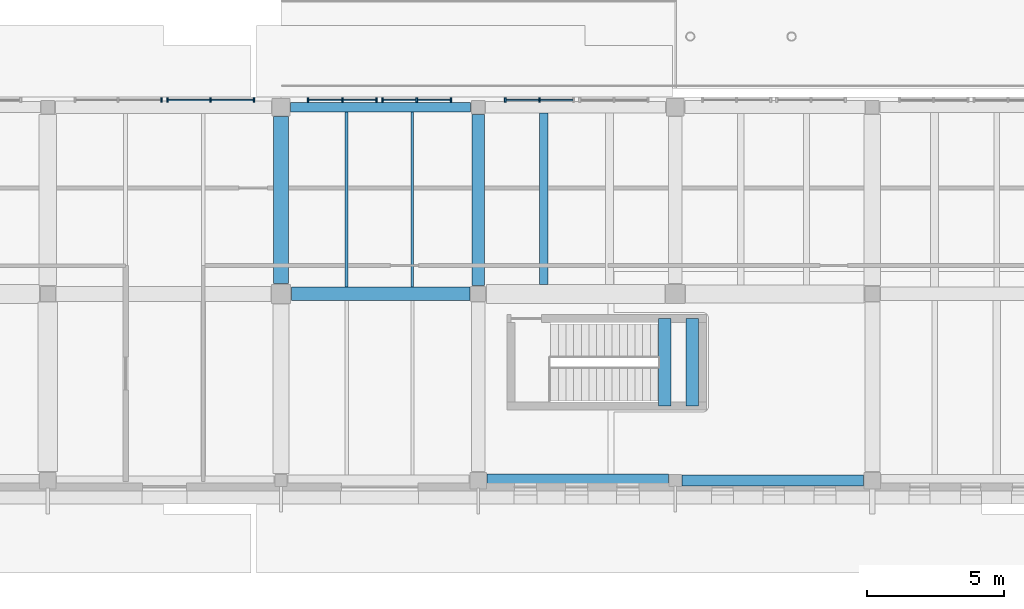
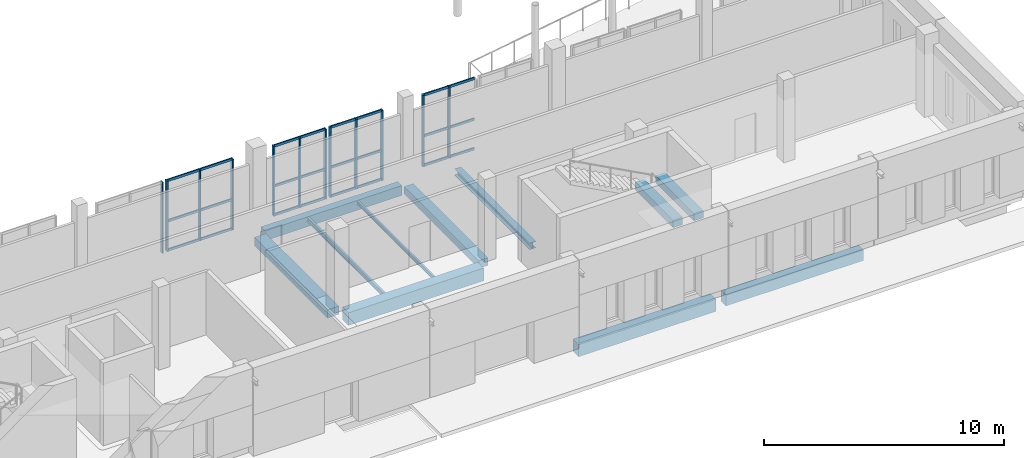
# One storey, part 28 of 77: 36 members, 11 beams, 5 elements without a shape of their own.
"""IFC4 building model written with IfcOpenShell, lengths in metres."""

from ifc_helpers import new_model, si_unit, direction, frame, origin, origin_2d, place, context, subcontext, project, spatial, rectangle, i_section, extrude, material, layer, layer_set, material_profile, profile_set, type_object, element, aggregate, save


model = new_model("IFC4")

# Units and contexts
model_context = context("Model", 3, precision=1e-05, world=origin(), true_north=direction((0.0, 1.0)))
body_context = subcontext(model_context, "Body", "Model", "MODEL_VIEW")
ifc_project = project(units=[si_unit("LENGTHUNIT", "METRE"), si_unit("AREAUNIT", "SQUARE_METRE"), si_unit("VOLUMEUNIT", "CUBIC_METRE"), si_unit("PLANEANGLEUNIT", "RADIAN"), si_unit("MASSUNIT", "GRAM", prefix="KILO")], contexts=[model_context])

# Site, building, storey
site_placement = place(None, origin())
site = spatial("IfcSite", under=ifc_project, at=site_placement, CompositionType="ELEMENT")
building_placement = place(site_placement, origin())
building = spatial("IfcBuilding", under=site, at=building_placement, Name="Vardoun Plaza Health Centre", CompositionType="ELEMENT")
storey_placement = place(building_placement, origin())
storey = spatial("IfcBuildingStorey", under=building, at=storey_placement, Name="L00", CompositionType="ELEMENT", Elevation=0.0)

# Beams
ifc_material_1 = material(Name="Concrete C35/45", Category="concrete")
ifc_material_profile_1 = material_profile(ifc_material_1, rectangle(XDim=0.35009765625, YDim=0.5, at=origin_2d()), Name="RC-BM 350x500")
ifc_profile_set_1 = profile_set([ifc_material_profile_1], Name="Concrete C35/45")
beam_type_1 = type_object("IfcBeamType", Name="B-08", PredefinedType="SPANDREL", material=ifc_profile_set_1)
beam_1_placement = place(storey_placement, frame((136.85009765625, 18.52001953125, -0.544921875), z_axis=(1.0, 0.0, 0.0), x_axis=(0.0, 1.0, 0.0)))
element("IfcBeam", 1, at=beam_1_placement, inside=storey, type_object=beam_type_1, Name="V5 L00 Beam B-V5-L00-X15", PredefinedType="SPANDREL", context=body_context, shape_type="SweptSolid", body=[
    extrude(rectangle(XDim=0.35009765625, YDim=0.5, at=origin_2d()), origin(), (0.0, 0.0, 1.0), 6.574951171875),
])
ifc_material_2 = material(Name="Concrete C35/45", Category="concrete")
ifc_material_profile_2 = material_profile(ifc_material_2, rectangle(XDim=0.39990234375, YDim=0.550048828125, at=origin_2d()), Name="RC-BM 400x550")
ifc_profile_set_2 = profile_set([ifc_material_profile_2], Name="Concrete C35/45")
beam_type_2 = type_object("IfcBeamType", Name="B-09", PredefinedType="SPANDREL", material=ifc_profile_set_2)
beam_2_placement = place(storey_placement, frame((151.14990234375, 4.8798828125, -0.570068359375), z_axis=(1.0, 0.0, 0.0), x_axis=(0.0, 1.0, 0.0)))
element("IfcBeam", 2, at=beam_2_placement, inside=storey, type_object=beam_type_2, Name="V5 L00 Beam B-V5-L00-X19", PredefinedType="SPANDREL", context=body_context, shape_type="SweptSolid", body=[
    extrude(rectangle(XDim=0.39990234375, YDim=0.550048828125, at=origin_2d()), origin(), (0.0, 0.0, 1.0), 6.625),
])
ifc_material_3 = material(Name="Concrete C35/45", Category="concrete")
ifc_material_profile_3 = material_profile(ifc_material_3, rectangle(XDim=0.449951171875, YDim=0.3798828125, at=origin_2d()), Name="RC-BM 450x380")
ifc_profile_set_3 = profile_set([ifc_material_profile_3], Name="Concrete C35/45")
beam_type_3 = type_object("IfcBeamType", Name="B-01", PredefinedType="BEAM", material=ifc_profile_set_3)
beam_3_placement = place(storey_placement, frame((143.699951171875, 12.0, -0.485107421875), z_axis=(0.0, 1.0, 0.0), x_axis=(-1.0, 0.0, 0.0)))
element("IfcBeam", 3, at=beam_3_placement, inside=storey, type_object=beam_type_3, Name="V5 L00 Beam B-V5-L00-Y35", PredefinedType="BEAM", context=body_context, shape_type="SweptSolid", body=[
    extrude(rectangle(XDim=0.449951171875, YDim=0.3798828125, at=origin_2d()), origin(), (0.0, 0.0, 1.0), 6.2451171875),
])
for number, where, z_axis, x_axis, name in (
    (4, (150.52001953125, 7.60009765625, 1.860107421875), (0.0, 1.0, 0.0), (-1.0, 0.0, 0.0), "Stair ST-C9-L00 Landing Beam 1"),
    (5, (151.52001953125, 7.60009765625, 1.860107421875), (0.0, 1.0, 0.0), (-1.0, 0.0, 0.0), "Stair ST-C9-L00 Landing Beam 2"),
):
    element("IfcBeam", number, at=place(storey_placement, frame(where, z_axis=z_axis, x_axis=x_axis)), inside=storey, type_object=beam_type_3, Name=name, PredefinedType="BEAM", context=body_context, shape_type="SweptSolid", body=[
        extrude(rectangle(XDim=0.449951171875, YDim=0.3798828125, at=origin_2d()), origin(), (0.0, 0.0, 1.0), 3.199951171875),
    ])
ifc_material_4 = material(Name="Concrete C35/45", Category="concrete")
ifc_material_profile_4 = material_profile(ifc_material_4, rectangle(XDim=0.47998046875, YDim=0.6201171875, at=origin_2d()), Name="RC-BM 480x620")
ifc_profile_set_4 = profile_set([ifc_material_profile_4], Name="Concrete C35/45")
beam_type_4 = type_object("IfcBeamType", Name="B-12", PredefinedType="SPANDREL", material=ifc_profile_set_4)
beam_4_placement = place(storey_placement, frame((144.02490234375, 4.8798828125, -0.60498046875), z_axis=(1.0, 0.0, 0.0), x_axis=(0.0, 1.0, 0.0)))
element("IfcBeam", 6, at=beam_4_placement, inside=storey, type_object=beam_type_4, Name="V5 L00 Beam B-V5-L00-X16", PredefinedType="SPANDREL", context=body_context, shape_type="SweptSolid", body=[
    extrude(rectangle(XDim=0.47998046875, YDim=0.6201171875, at=origin_2d()), origin(), (0.0, 0.0, 1.0), 6.625),
])
ifc_material_5 = material(Name="Concrete C40/50", Category="concrete")
ifc_material_profile_5 = material_profile(ifc_material_5, rectangle(XDim=0.5, YDim=0.64990234375, at=origin_2d()), Name="RC-BM 500x650")
ifc_profile_set_5 = profile_set([ifc_material_profile_5], Name="Concrete C40/50")
beam_type_5 = type_object("IfcBeamType", Name="B-13", PredefinedType="BEAM", material=ifc_profile_set_5)
beam_5_placement = place(storey_placement, frame((136.875, 11.699951171875, -0.6201171875), z_axis=(1.0, 0.0, 0.0), x_axis=(0.0, 1.0, 0.0)))
element("IfcBeam", 7, at=beam_5_placement, inside=storey, type_object=beam_type_5, Name="V5 L00 Beam B-V5-L00-X14", PredefinedType="BEAM", context=body_context, shape_type="SweptSolid", body=[
    extrude(rectangle(XDim=0.5, YDim=0.64990234375, at=origin_2d()), origin(), (0.0, 0.0, 1.0), 6.52490234375),
])
ifc_material_6 = material(Name="Concrete C35/45", Category="concrete")
ifc_material_profile_6 = material_profile(ifc_material_6, rectangle(XDim=0.550048828125, YDim=0.419921875, at=origin_2d()), Name="RC-BM 550x420")
ifc_profile_set_6 = profile_set([ifc_material_profile_6], Name="Concrete C35/45")
beam_type_6 = type_object("IfcBeamType", Name="B-03", PredefinedType="BEAM", material=ifc_profile_set_6)
beam_6_placement = place(storey_placement, frame((136.5, 12.074951171875, -0.5048828125), z_axis=(0.0, 1.0, 0.0), x_axis=(-1.0, 0.0, 0.0)))
element("IfcBeam", 8, at=beam_6_placement, inside=storey, type_object=beam_type_6, Name="V5 L00 Beam B-V5-L00-Y33", PredefinedType="BEAM", context=body_context, shape_type="SweptSolid", body=[
    extrude(rectangle(XDim=0.550048828125, YDim=0.419921875, at=origin_2d()), origin(), (0.0, 0.0, 1.0), 6.094970703125),
])
ifc_material_7 = material(Name="Steel S355J2", Category="steel")
ifc_material_profile_7 = material_profile(ifc_material_7, i_section(OverallWidth=0.300048828125, OverallDepth=0.330078125, WebThickness=0.009521484375, FlangeThickness=0.0166015625, FilletRadius=0.027099609375, at=origin_2d()), Name="HEA 340")
ifc_profile_set_7 = profile_set([ifc_material_profile_7], Name="Steel S355J2")
beam_type_7 = type_object("IfcBeamType", Name="SB-04", PredefinedType="BEAM", material=ifc_profile_set_7)
beam_7_placement = place(storey_placement, frame((146.099853515625, 12.050048828125, -0.4599609375), z_axis=(0.0, 1.0, 0.0), x_axis=(-1.0, 0.0, 0.0)))
element("IfcBeam", 9, at=beam_7_placement, inside=storey, type_object=beam_type_7, Name="V5 L00 Secondary Floor Beam SJ-V5-L00-17", PredefinedType="BEAM", context=body_context, shape_type="SweptSolid", body=[
    extrude(i_section(OverallWidth=0.300048828125, OverallDepth=0.330078125, WebThickness=0.009521484375, FlangeThickness=0.0166015625, FilletRadius=0.027099609375, at=origin_2d()), origin(), (0.0, 0.0, 1.0), 6.260009765625),
])
ifc_material_8 = material(Name="Steel S355J2", Category="steel")
ifc_material_profile_8 = material_profile(ifc_material_8, i_section(OverallWidth=0.091064453125, OverallDepth=0.179931640625, WebThickness=0.00537109375, FlangeThickness=0.008056640625, FilletRadius=0.009033203125, at=origin_2d()), Name="IPE 180")
ifc_profile_set_8 = profile_set([ifc_material_profile_8], Name="Steel S355J2")
beam_type_8 = type_object("IfcBeamType", Name="SB-20", PredefinedType="SPANDREL", material=ifc_profile_set_8)
beam_8_placement = place(storey_placement, frame((141.30029296875, 11.949951171875, -0.385009765625), z_axis=(0.0, 1.0, 0.0), x_axis=(-1.0, 0.0, 0.0)))
element("IfcBeam", 10, at=beam_8_placement, inside=storey, type_object=beam_type_8, Name="V5 L00 Secondary Floor Beam SJ-V5-L00-16", PredefinedType="SPANDREL", context=body_context, shape_type="SweptSolid", body=[
    extrude(i_section(OverallWidth=0.091064453125, OverallDepth=0.179931640625, WebThickness=0.00537109375, FlangeThickness=0.008056640625, FilletRadius=0.009033203125, at=origin_2d()), origin(), (0.0, 0.0, 1.0), 6.39501953125),
])
ifc_material_9 = material(Name="Steel S355J2", Category="steel")
ifc_material_profile_9 = material_profile(ifc_material_9, i_section(OverallWidth=0.110107421875, OverallDepth=0.219970703125, WebThickness=0.005859375, FlangeThickness=0.00927734375, FilletRadius=0.011962890625, at=origin_2d()), Name="IPE 220")
ifc_profile_set_9 = profile_set([ifc_material_profile_9], Name="Steel S355J2")
beam_type_9 = type_object("IfcBeamType", Name="SB-18", PredefinedType="JOIST", material=ifc_profile_set_9)
beam_9_placement = place(storey_placement, frame((138.89990234375, 11.949951171875, -0.405029296875), z_axis=(0.0, 1.0, 0.0), x_axis=(-1.0, 0.0, 0.0)))
element("IfcBeam", 11, at=beam_9_placement, inside=storey, type_object=beam_type_9, Name="V5 L00 Secondary Floor Beam SJ-V5-L00-14", PredefinedType="JOIST", context=body_context, shape_type="SweptSolid", body=[
    extrude(i_section(OverallWidth=0.110107421875, OverallDepth=0.219970703125, WebThickness=0.005859375, FlangeThickness=0.00927734375, FilletRadius=0.011962890625, at=origin_2d()), origin(), (0.0, 0.0, 1.0), 6.39501953125),
])

# Curtain wall, member
ifc_material_10 = material(Name="Aluminium Alloy EN AW-6063-T6 and Low-E Glass", Category="aluminium")
ifc_layer = layer(ifc_material_10, 0.14990234375)
ifc_layer_set = layer_set([ifc_layer], Name="Aluminium Alloy EN AW-6063-T6 and Low-E Glass")
curtain_wall_type = type_object("IfcCurtainWallType", Name="CW-03", PredefinedType="NOTDEFINED", material=ifc_layer_set)
curtain_wall_1_placement = place(storey_placement, origin())
curtain_wall_1 = element("IfcCurtainWall", 12, at=curtain_wall_1_placement, inside=storey, type_object=curtain_wall_type, Name="Curtain Wall CW-V5-139", PredefinedType="NOTDEFINED")
ifc_material_11 = material(Name="Aluminium Alloy EN AW-6063-T6", Category="aluminium")
ifc_material_profile_10 = material_profile(ifc_material_11, rectangle(XDim=0.159912109375, YDim=0.06005859375, at=origin_2d()), Name="CWM 60x160")
ifc_profile_set_10 = profile_set([ifc_material_profile_10], Name="Aluminium Alloy EN AW-6063-T6")
member_type_1 = type_object("IfcMemberType", Name="CW-M1", PredefinedType="MULLION", material=ifc_profile_set_10)
member_1_placement = place(storey_placement, frame((132.1298828125, 18.780029296875, 0.0), z_axis=(0.0, 0.0, 1.0), x_axis=(0.0, 1.0, 0.0)))
member_1 = element("IfcMember", 13, at=member_1_placement, type_object=member_type_1, Name="CW-V5-139 mullion 3", PredefinedType="MULLION", context=body_context, shape_type="SweptSolid", body=[
    extrude(rectangle(XDim=0.159912109375, YDim=0.06005859375, at=origin_2d()), origin(), (0.0, 0.0, 1.0), 3.610107421875),
])
aggregate(curtain_wall_1, [member_1])

# Curtain wall, members
curtain_wall_2_placement = place(storey_placement, origin())
curtain_wall_2 = element("IfcCurtainWall", 14, at=curtain_wall_2_placement, inside=storey, type_object=curtain_wall_type, Name="Curtain Wall CW-V5-140", PredefinedType="NOTDEFINED")
member_2_placement = place(storey_placement, frame((132.35009765625, 18.780029296875, 0.0), z_axis=(0.0, 0.0, 1.0), x_axis=(0.0, 1.0, 0.0)))
member_2 = element("IfcMember", 15, at=member_2_placement, type_object=member_type_1, Name="CW-V5-140 mullion 1", PredefinedType="MULLION", context=body_context, shape_type="SweptSolid", body=[
    extrude(rectangle(XDim=0.159912109375, YDim=0.06005859375, at=origin_2d()), origin(), (0.0, 0.0, 1.0), 3.610107421875),
])
member_3_placement = place(storey_placement, frame((133.929931640625, 18.780029296875, 0.0), z_axis=(0.0, 0.0, 1.0), x_axis=(0.0, 1.0, 0.0)))
member_3 = element("IfcMember", 16, at=member_3_placement, type_object=member_type_1, Name="CW-V5-140 mullion 2", PredefinedType="MULLION", context=body_context, shape_type="SweptSolid", body=[
    extrude(rectangle(XDim=0.159912109375, YDim=0.06005859375, at=origin_2d()), origin(), (0.0, 0.0, 1.0), 3.610107421875),
])
member_4_placement = place(storey_placement, frame((135.510009765625, 18.780029296875, 0.0), z_axis=(0.0, 0.0, 1.0), x_axis=(0.0, 1.0, 0.0)))
member_4 = element("IfcMember", 17, at=member_4_placement, type_object=member_type_1, Name="CW-V5-140 mullion 3", PredefinedType="MULLION", context=body_context, shape_type="SweptSolid", body=[
    extrude(rectangle(XDim=0.159912109375, YDim=0.06005859375, at=origin_2d()), origin(), (0.0, 0.0, 1.0), 3.610107421875),
])

curtain_wall_3_placement = place(storey_placement, origin())
curtain_wall_3 = element("IfcCurtainWall", 18, at=curtain_wall_3_placement, inside=storey, type_object=curtain_wall_type, Name="Curtain Wall CW-V5-141", PredefinedType="NOTDEFINED")
member_5_placement = place(storey_placement, frame((137.489990234375, 18.780029296875, 0.0), z_axis=(0.0, 0.0, 1.0), x_axis=(0.0, 1.0, 0.0)))
member_5 = element("IfcMember", 19, at=member_5_placement, type_object=member_type_1, Name="CW-V5-141 mullion 1", PredefinedType="MULLION", context=body_context, shape_type="SweptSolid", body=[
    extrude(rectangle(XDim=0.159912109375, YDim=0.06005859375, at=origin_2d()), origin(), (0.0, 0.0, 1.0), 3.570068359375),
])
member_6_placement = place(storey_placement, frame((138.739990234375, 18.780029296875, 0.0), z_axis=(0.0, 0.0, 1.0), x_axis=(0.0, 1.0, 0.0)))
member_6 = element("IfcMember", 20, at=member_6_placement, type_object=member_type_1, Name="CW-V5-141 mullion 2", PredefinedType="MULLION", context=body_context, shape_type="SweptSolid", body=[
    extrude(rectangle(XDim=0.159912109375, YDim=0.06005859375, at=origin_2d()), origin(), (0.0, 0.0, 1.0), 3.570068359375),
])
member_7_placement = place(storey_placement, frame((139.989990234375, 18.780029296875, 0.0), z_axis=(0.0, 0.0, 1.0), x_axis=(0.0, 1.0, 0.0)))
member_7 = element("IfcMember", 21, at=member_7_placement, type_object=member_type_1, Name="CW-V5-141 mullion 3", PredefinedType="MULLION", context=body_context, shape_type="SweptSolid", body=[
    extrude(rectangle(XDim=0.159912109375, YDim=0.06005859375, at=origin_2d()), origin(), (0.0, 0.0, 1.0), 3.570068359375),
])

curtain_wall_4_placement = place(storey_placement, origin())
curtain_wall_4 = element("IfcCurtainWall", 22, at=curtain_wall_4_placement, inside=storey, type_object=curtain_wall_type, Name="Curtain Wall CW-V5-142", PredefinedType="NOTDEFINED")
member_8_placement = place(storey_placement, frame((140.2099609375, 18.780029296875, 0.0), z_axis=(0.0, 0.0, 1.0), x_axis=(0.0, 1.0, 0.0)))
member_8 = element("IfcMember", 23, at=member_8_placement, type_object=member_type_1, Name="CW-V5-142 mullion 1", PredefinedType="MULLION", context=body_context, shape_type="SweptSolid", body=[
    extrude(rectangle(XDim=0.159912109375, YDim=0.06005859375, at=origin_2d()), origin(), (0.0, 0.0, 1.0), 3.570068359375),
])
member_9_placement = place(storey_placement, frame((141.4599609375, 18.780029296875, 0.0), z_axis=(0.0, 0.0, 1.0), x_axis=(0.0, 1.0, 0.0)))
member_9 = element("IfcMember", 24, at=member_9_placement, type_object=member_type_1, Name="CW-V5-142 mullion 2", PredefinedType="MULLION", context=body_context, shape_type="SweptSolid", body=[
    extrude(rectangle(XDim=0.159912109375, YDim=0.06005859375, at=origin_2d()), origin(), (0.0, 0.0, 1.0), 3.570068359375),
])
member_10_placement = place(storey_placement, frame((142.7099609375, 18.780029296875, 0.0), z_axis=(0.0, 0.0, 1.0), x_axis=(0.0, 1.0, 0.0)))
member_10 = element("IfcMember", 25, at=member_10_placement, type_object=member_type_1, Name="CW-V5-142 mullion 3", PredefinedType="MULLION", context=body_context, shape_type="SweptSolid", body=[
    extrude(rectangle(XDim=0.159912109375, YDim=0.06005859375, at=origin_2d()), origin(), (0.0, 0.0, 1.0), 3.570068359375),
])

curtain_wall_5_placement = place(storey_placement, origin())
curtain_wall_5 = element("IfcCurtainWall", 26, at=curtain_wall_5_placement, inside=storey, type_object=curtain_wall_type, Name="Curtain Wall CW-V5-143", PredefinedType="NOTDEFINED")
member_11_placement = place(storey_placement, frame((144.690185546875, 18.780029296875, 0.0), z_axis=(0.0, 0.0, 1.0), x_axis=(0.0, 1.0, 0.0)))
member_11 = element("IfcMember", 27, at=member_11_placement, type_object=member_type_1, Name="CW-V5-143 mullion 1", PredefinedType="MULLION", context=body_context, shape_type="SweptSolid", body=[
    extrude(rectangle(XDim=0.159912109375, YDim=0.06005859375, at=origin_2d()), origin(), (0.0, 0.0, 1.0), 3.639892578125),
])
member_12_placement = place(storey_placement, frame((145.940185546875, 18.780029296875, 0.0), z_axis=(0.0, 0.0, 1.0), x_axis=(0.0, 1.0, 0.0)))
member_12 = element("IfcMember", 28, at=member_12_placement, type_object=member_type_1, Name="CW-V5-143 mullion 2", PredefinedType="MULLION", context=body_context, shape_type="SweptSolid", body=[
    extrude(rectangle(XDim=0.159912109375, YDim=0.06005859375, at=origin_2d()), origin(), (0.0, 0.0, 1.0), 3.639892578125),
])

# Member
ifc_material_12 = material(Name="Aluminium Alloy EN AW-6063-T6", Category="aluminium")
ifc_material_profile_11 = material_profile(ifc_material_12, rectangle(XDim=0.06005859375, YDim=0.1201171875, at=origin_2d()), Name="CWT 60x120")
ifc_profile_set_11 = profile_set([ifc_material_profile_11], Name="Aluminium Alloy EN AW-6063-T6")
member_type_2 = type_object("IfcMemberType", Name="CW-T1", PredefinedType="USERDEFINED", material=ifc_profile_set_11)
member_13_placement = place(storey_placement, frame((132.3798828125, 18.780029296875, 0.030029296875), z_axis=(1.0, 0.0, 0.0), x_axis=(0.0, 1.0, 0.0)))
member_13 = element("IfcMember", 29, at=member_13_placement, type_object=member_type_2, Name="CW-V5-140 transom 1.1", ObjectType="TRANSOM", PredefinedType="USERDEFINED", context=body_context, shape_type="SweptSolid", body=[
    extrude(rectangle(XDim=0.06005859375, YDim=0.1201171875, at=origin_2d()), origin(), (0.0, 0.0, 1.0), 1.52001953125),
])

member_14_placement = place(storey_placement, frame((132.3798828125, 18.780029296875, 1.51611328125), z_axis=(1.0, 0.0, 0.0), x_axis=(0.0, 1.0, 0.0)))
member_14 = element("IfcMember", 30, at=member_14_placement, type_object=member_type_2, Name="CW-V5-140 transom 1.2", ObjectType="TRANSOM", PredefinedType="USERDEFINED", context=body_context, shape_type="SweptSolid", body=[
    extrude(rectangle(XDim=0.06005859375, YDim=0.1201171875, at=origin_2d()), origin(), (0.0, 0.0, 1.0), 1.52001953125),
])

member_15_placement = place(storey_placement, frame((132.3798828125, 18.780029296875, 3.580078125), z_axis=(1.0, 0.0, 0.0), x_axis=(0.0, 1.0, 0.0)))
member_15 = element("IfcMember", 31, at=member_15_placement, type_object=member_type_2, Name="CW-V5-140 transom 1.3", ObjectType="TRANSOM", PredefinedType="USERDEFINED", context=body_context, shape_type="SweptSolid", body=[
    extrude(rectangle(XDim=0.06005859375, YDim=0.1201171875, at=origin_2d()), origin(), (0.0, 0.0, 1.0), 1.52001953125),
])

member_16_placement = place(storey_placement, frame((133.9599609375, 18.780029296875, 0.030029296875), z_axis=(1.0, 0.0, 0.0), x_axis=(0.0, 1.0, 0.0)))
member_16 = element("IfcMember", 32, at=member_16_placement, type_object=member_type_2, Name="CW-V5-140 transom 2.1", ObjectType="TRANSOM", PredefinedType="USERDEFINED", context=body_context, shape_type="SweptSolid", body=[
    extrude(rectangle(XDim=0.06005859375, YDim=0.1201171875, at=origin_2d()), origin(), (0.0, 0.0, 1.0), 1.52001953125),
])

member_17_placement = place(storey_placement, frame((133.9599609375, 18.780029296875, 1.51611328125), z_axis=(1.0, 0.0, 0.0), x_axis=(0.0, 1.0, 0.0)))
member_17 = element("IfcMember", 33, at=member_17_placement, type_object=member_type_2, Name="CW-V5-140 transom 2.2", ObjectType="TRANSOM", PredefinedType="USERDEFINED", context=body_context, shape_type="SweptSolid", body=[
    extrude(rectangle(XDim=0.06005859375, YDim=0.1201171875, at=origin_2d()), origin(), (0.0, 0.0, 1.0), 1.52001953125),
])

member_18_placement = place(storey_placement, frame((133.9599609375, 18.780029296875, 3.580078125), z_axis=(1.0, 0.0, 0.0), x_axis=(0.0, 1.0, 0.0)))
member_18 = element("IfcMember", 34, at=member_18_placement, type_object=member_type_2, Name="CW-V5-140 transom 2.3", ObjectType="TRANSOM", PredefinedType="USERDEFINED", context=body_context, shape_type="SweptSolid", body=[
    extrude(rectangle(XDim=0.06005859375, YDim=0.1201171875, at=origin_2d()), origin(), (0.0, 0.0, 1.0), 1.52001953125),
])

aggregate(curtain_wall_2, [member_2, member_3, member_4, member_13, member_14, member_15, member_16, member_17, member_18])

member_19_placement = place(storey_placement, frame((137.52001953125, 18.780029296875, 0.030029296875), z_axis=(1.0, 0.0, 0.0), x_axis=(0.0, 1.0, 0.0)))
member_19 = element("IfcMember", 35, at=member_19_placement, type_object=member_type_2, Name="CW-V5-141 transom 1.1", ObjectType="TRANSOM", PredefinedType="USERDEFINED", context=body_context, shape_type="SweptSolid", body=[
    extrude(rectangle(XDim=0.06005859375, YDim=0.1201171875, at=origin_2d()), origin(), (0.0, 0.0, 1.0), 1.18994140625),
])

member_20_placement = place(storey_placement, frame((137.52001953125, 18.780029296875, 1.49951171875), z_axis=(1.0, 0.0, 0.0), x_axis=(0.0, 1.0, 0.0)))
member_20 = element("IfcMember", 36, at=member_20_placement, type_object=member_type_2, Name="CW-V5-141 transom 1.2", ObjectType="TRANSOM", PredefinedType="USERDEFINED", context=body_context, shape_type="SweptSolid", body=[
    extrude(rectangle(XDim=0.06005859375, YDim=0.1201171875, at=origin_2d()), origin(), (0.0, 0.0, 1.0), 1.18994140625),
])

member_21_placement = place(storey_placement, frame((137.52001953125, 18.780029296875, 3.5400390625), z_axis=(1.0, 0.0, 0.0), x_axis=(0.0, 1.0, 0.0)))
member_21 = element("IfcMember", 37, at=member_21_placement, type_object=member_type_2, Name="CW-V5-141 transom 1.3", ObjectType="TRANSOM", PredefinedType="USERDEFINED", context=body_context, shape_type="SweptSolid", body=[
    extrude(rectangle(XDim=0.06005859375, YDim=0.1201171875, at=origin_2d()), origin(), (0.0, 0.0, 1.0), 1.18994140625),
])

member_22_placement = place(storey_placement, frame((138.77001953125, 18.780029296875, 0.030029296875), z_axis=(1.0, 0.0, 0.0), x_axis=(0.0, 1.0, 0.0)))
member_22 = element("IfcMember", 38, at=member_22_placement, type_object=member_type_2, Name="CW-V5-141 transom 2.1", ObjectType="TRANSOM", PredefinedType="USERDEFINED", context=body_context, shape_type="SweptSolid", body=[
    extrude(rectangle(XDim=0.06005859375, YDim=0.1201171875, at=origin_2d()), origin(), (0.0, 0.0, 1.0), 1.18994140625),
])

member_23_placement = place(storey_placement, frame((138.77001953125, 18.780029296875, 1.49951171875), z_axis=(1.0, 0.0, 0.0), x_axis=(0.0, 1.0, 0.0)))
member_23 = element("IfcMember", 39, at=member_23_placement, type_object=member_type_2, Name="CW-V5-141 transom 2.2", ObjectType="TRANSOM", PredefinedType="USERDEFINED", context=body_context, shape_type="SweptSolid", body=[
    extrude(rectangle(XDim=0.06005859375, YDim=0.1201171875, at=origin_2d()), origin(), (0.0, 0.0, 1.0), 1.18994140625),
])

member_24_placement = place(storey_placement, frame((138.77001953125, 18.780029296875, 3.5400390625), z_axis=(1.0, 0.0, 0.0), x_axis=(0.0, 1.0, 0.0)))
member_24 = element("IfcMember", 40, at=member_24_placement, type_object=member_type_2, Name="CW-V5-141 transom 2.3", ObjectType="TRANSOM", PredefinedType="USERDEFINED", context=body_context, shape_type="SweptSolid", body=[
    extrude(rectangle(XDim=0.06005859375, YDim=0.1201171875, at=origin_2d()), origin(), (0.0, 0.0, 1.0), 1.18994140625),
])

aggregate(curtain_wall_3, [member_5, member_6, member_7, member_19, member_20, member_21, member_22, member_23, member_24])

member_25_placement = place(storey_placement, frame((140.239990234375, 18.780029296875, 0.030029296875), z_axis=(1.0, 0.0, 0.0), x_axis=(0.0, 1.0, 0.0)))
member_25 = element("IfcMember", 41, at=member_25_placement, type_object=member_type_2, Name="CW-V5-142 transom 1.1", ObjectType="TRANSOM", PredefinedType="USERDEFINED", context=body_context, shape_type="SweptSolid", body=[
    extrude(rectangle(XDim=0.06005859375, YDim=0.1201171875, at=origin_2d()), origin(), (0.0, 0.0, 1.0), 1.18994140625),
])

member_26_placement = place(storey_placement, frame((140.239990234375, 18.780029296875, 1.49951171875), z_axis=(1.0, 0.0, 0.0), x_axis=(0.0, 1.0, 0.0)))
member_26 = element("IfcMember", 42, at=member_26_placement, type_object=member_type_2, Name="CW-V5-142 transom 1.2", ObjectType="TRANSOM", PredefinedType="USERDEFINED", context=body_context, shape_type="SweptSolid", body=[
    extrude(rectangle(XDim=0.06005859375, YDim=0.1201171875, at=origin_2d()), origin(), (0.0, 0.0, 1.0), 1.18994140625),
])

member_27_placement = place(storey_placement, frame((140.239990234375, 18.780029296875, 3.5400390625), z_axis=(1.0, 0.0, 0.0), x_axis=(0.0, 1.0, 0.0)))
member_27 = element("IfcMember", 43, at=member_27_placement, type_object=member_type_2, Name="CW-V5-142 transom 1.3", ObjectType="TRANSOM", PredefinedType="USERDEFINED", context=body_context, shape_type="SweptSolid", body=[
    extrude(rectangle(XDim=0.06005859375, YDim=0.1201171875, at=origin_2d()), origin(), (0.0, 0.0, 1.0), 1.18994140625),
])

member_28_placement = place(storey_placement, frame((141.489990234375, 18.780029296875, 0.030029296875), z_axis=(1.0, 0.0, 0.0), x_axis=(0.0, 1.0, 0.0)))
member_28 = element("IfcMember", 44, at=member_28_placement, type_object=member_type_2, Name="CW-V5-142 transom 2.1", ObjectType="TRANSOM", PredefinedType="USERDEFINED", context=body_context, shape_type="SweptSolid", body=[
    extrude(rectangle(XDim=0.06005859375, YDim=0.1201171875, at=origin_2d()), origin(), (0.0, 0.0, 1.0), 1.18994140625),
])

member_29_placement = place(storey_placement, frame((141.489990234375, 18.780029296875, 1.49951171875), z_axis=(1.0, 0.0, 0.0), x_axis=(0.0, 1.0, 0.0)))
member_29 = element("IfcMember", 45, at=member_29_placement, type_object=member_type_2, Name="CW-V5-142 transom 2.2", ObjectType="TRANSOM", PredefinedType="USERDEFINED", context=body_context, shape_type="SweptSolid", body=[
    extrude(rectangle(XDim=0.06005859375, YDim=0.1201171875, at=origin_2d()), origin(), (0.0, 0.0, 1.0), 1.18994140625),
])

member_30_placement = place(storey_placement, frame((141.489990234375, 18.780029296875, 3.5400390625), z_axis=(1.0, 0.0, 0.0), x_axis=(0.0, 1.0, 0.0)))
member_30 = element("IfcMember", 46, at=member_30_placement, type_object=member_type_2, Name="CW-V5-142 transom 2.3", ObjectType="TRANSOM", PredefinedType="USERDEFINED", context=body_context, shape_type="SweptSolid", body=[
    extrude(rectangle(XDim=0.06005859375, YDim=0.1201171875, at=origin_2d()), origin(), (0.0, 0.0, 1.0), 1.18994140625),
])

aggregate(curtain_wall_4, [member_8, member_9, member_10, member_25, member_26, member_27, member_28, member_29, member_30])

member_31_placement = place(storey_placement, frame((144.719970703125, 18.780029296875, 0.030029296875), z_axis=(1.0, 0.0, 0.0), x_axis=(0.0, 1.0, 0.0)))
member_31 = element("IfcMember", 47, at=member_31_placement, type_object=member_type_2, Name="CW-V5-143 transom 1.1", ObjectType="TRANSOM", PredefinedType="USERDEFINED", context=body_context, shape_type="SweptSolid", body=[
    extrude(rectangle(XDim=0.06005859375, YDim=0.1201171875, at=origin_2d()), origin(), (0.0, 0.0, 1.0), 1.18994140625),
])

member_32_placement = place(storey_placement, frame((144.719970703125, 18.780029296875, 1.52880859375), z_axis=(1.0, 0.0, 0.0), x_axis=(0.0, 1.0, 0.0)))
member_32 = element("IfcMember", 48, at=member_32_placement, type_object=member_type_2, Name="CW-V5-143 transom 1.2", ObjectType="TRANSOM", PredefinedType="USERDEFINED", context=body_context, shape_type="SweptSolid", body=[
    extrude(rectangle(XDim=0.06005859375, YDim=0.1201171875, at=origin_2d()), origin(), (0.0, 0.0, 1.0), 1.18994140625),
])

member_33_placement = place(storey_placement, frame((144.719970703125, 18.780029296875, 3.610107421875), z_axis=(1.0, 0.0, 0.0), x_axis=(0.0, 1.0, 0.0)))
member_33 = element("IfcMember", 49, at=member_33_placement, type_object=member_type_2, Name="CW-V5-143 transom 1.3", ObjectType="TRANSOM", PredefinedType="USERDEFINED", context=body_context, shape_type="SweptSolid", body=[
    extrude(rectangle(XDim=0.06005859375, YDim=0.1201171875, at=origin_2d()), origin(), (0.0, 0.0, 1.0), 1.18994140625),
])

member_34_placement = place(storey_placement, frame((145.969970703125, 18.780029296875, 0.030029296875), z_axis=(1.0, 0.0, 0.0), x_axis=(0.0, 1.0, 0.0)))
member_34 = element("IfcMember", 50, at=member_34_placement, type_object=member_type_2, Name="CW-V5-143 transom 2.1", ObjectType="TRANSOM", PredefinedType="USERDEFINED", context=body_context, shape_type="SweptSolid", body=[
    extrude(rectangle(XDim=0.06005859375, YDim=0.1201171875, at=origin_2d()), origin(), (0.0, 0.0, 1.0), 1.18994140625),
])

member_35_placement = place(storey_placement, frame((145.969970703125, 18.780029296875, 1.52880859375), z_axis=(1.0, 0.0, 0.0), x_axis=(0.0, 1.0, 0.0)))
member_35 = element("IfcMember", 51, at=member_35_placement, type_object=member_type_2, Name="CW-V5-143 transom 2.2", ObjectType="TRANSOM", PredefinedType="USERDEFINED", context=body_context, shape_type="SweptSolid", body=[
    extrude(rectangle(XDim=0.06005859375, YDim=0.1201171875, at=origin_2d()), origin(), (0.0, 0.0, 1.0), 1.18994140625),
])

member_36_placement = place(storey_placement, frame((145.969970703125, 18.780029296875, 3.610107421875), z_axis=(1.0, 0.0, 0.0), x_axis=(0.0, 1.0, 0.0)))
member_36 = element("IfcMember", 52, at=member_36_placement, type_object=member_type_2, Name="CW-V5-143 transom 2.3", ObjectType="TRANSOM", PredefinedType="USERDEFINED", context=body_context, shape_type="SweptSolid", body=[
    extrude(rectangle(XDim=0.06005859375, YDim=0.1201171875, at=origin_2d()), origin(), (0.0, 0.0, 1.0), 1.18994140625),
])

aggregate(curtain_wall_5, [member_11, member_12, member_31, member_32, member_33, member_34, member_35, member_36])

save(model, "model.ifc")
